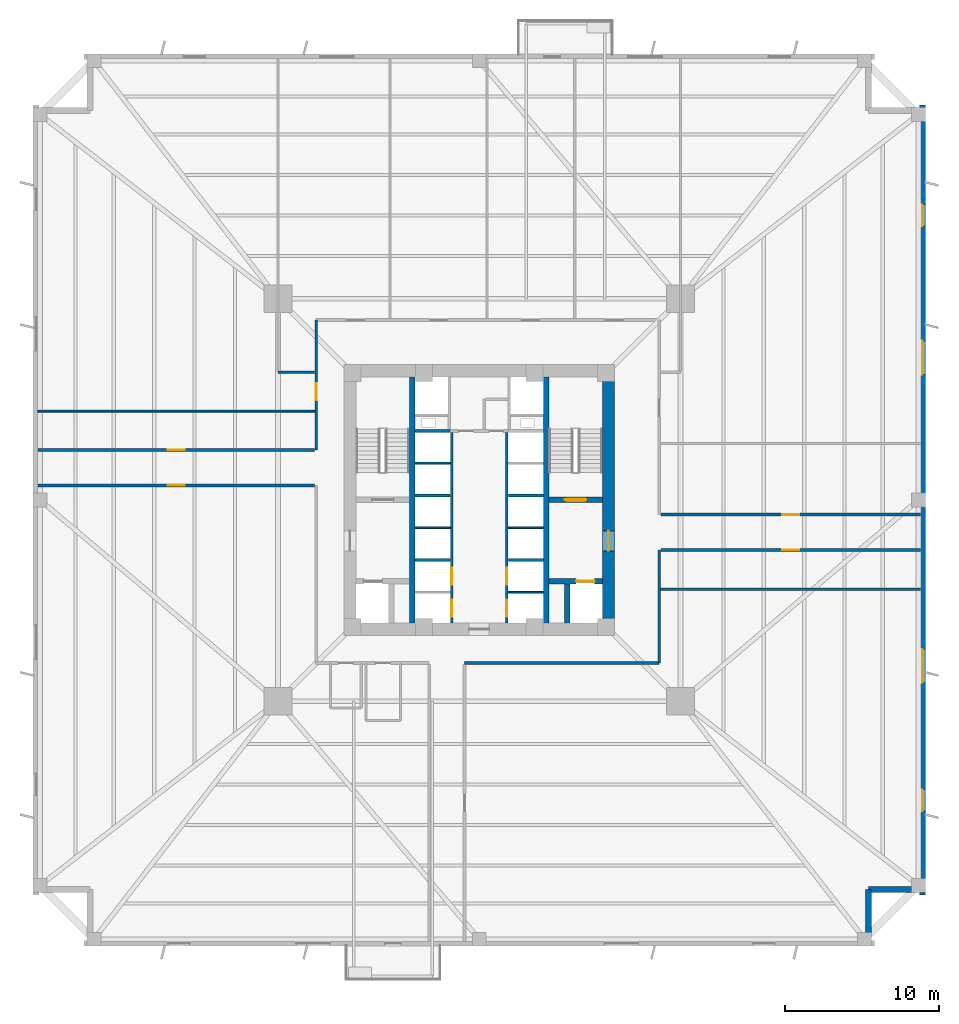
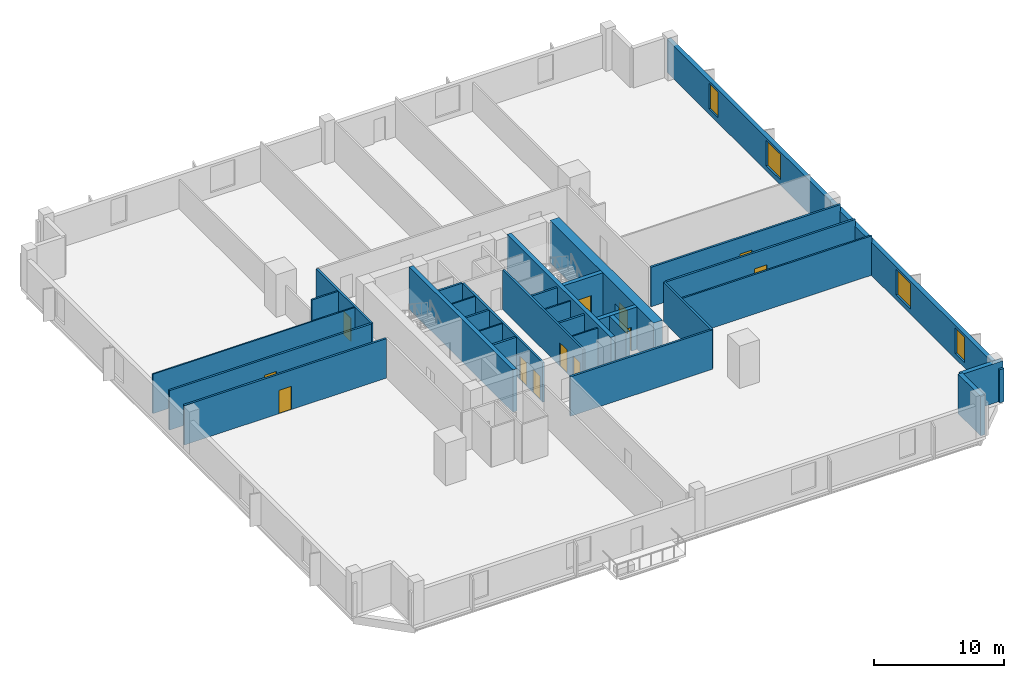
# One storey, part 3 of 8: 30 walls, 12 doors, 4 windows, 16 openings.
"""IFC4 building model written with IfcOpenShell, lengths in metres."""

from ifc_helpers import new_model, si_unit, direction, frame, frame_2d, origin, place, context, subcontext, project, spatial, rectangle, extrude, source, transform, mapped, material, layer, layer_set, type_object, element, fill, save


model = new_model("IFC4")

# Units and contexts
model_context = context("Model", 3, precision=1e-05, world=origin(), true_north=direction((0.0, 1.0)))
body_context = subcontext(model_context, "Body", "Model", "MODEL_VIEW")
ifc_project = project(units=[si_unit("LENGTHUNIT", "METRE"), si_unit("AREAUNIT", "SQUARE_METRE"), si_unit("VOLUMEUNIT", "CUBIC_METRE"), si_unit("PLANEANGLEUNIT", "RADIAN"), si_unit("MASSUNIT", "GRAM", prefix="KILO"), si_unit("THERMODYNAMICTEMPERATUREUNIT", "KELVIN")], contexts=[model_context])

# Site, building, storey
site_placement = place(None, origin())
site = spatial("IfcSite", under=ifc_project, at=site_placement, CompositionType="ELEMENT")
building_placement = place(site_placement, origin())
building = spatial("IfcBuilding", under=site, at=building_placement, Name="Kosmvard Interchange Tower", CompositionType="ELEMENT")
storey_placement = place(building_placement, frame((0.0, 0.0, 42.0)))
storey = spatial("IfcBuildingStorey", under=building, at=storey_placement, Name="L09", CompositionType="ELEMENT", Elevation=42.0)

# Walls
ifc_material_1 = material(Name="Acoustic gypsum partition system")
ifc_layer_1 = layer(ifc_material_1, 0.14990234375, Name="Acoustic gypsum partition system")
ifc_layer_set_1 = layer_set([ifc_layer_1], Name="Acoustic gypsum partition system")
wall_type_1 = type_object("IfcWallType", Name="Acoustic Suite & Meeting Partition 150", PredefinedType="PARTITIONING", material=ifc_layer_set_1)
wall_1_placement = place(storey_placement, frame((-10.695068359375, 8.300048828125, 0.0), z_axis=(0.0, 0.0, 1.0), x_axis=(-1.0, 0.0, 0.0)))
element("IfcWall", 1, at=wall_1_placement, inside=storey, type_object=wall_type_1, Name="L09 Room Partition 01.1", PredefinedType="PARTITIONING", context=body_context, shape_type="SweptSolid", body=[
    extrude(rectangle(XDim=2.385986328125, YDim=0.14990234375, at=frame_2d((1.19287109375, 0.0))), origin(), (0.0, 0.0, 1.0), 3.719970703125),
])
wall_2_placement = place(storey_placement, frame((11.794921875, -5.800048828125, 0.0), z_axis=(0.0, 0.0, 1.0), x_axis=(1.0, 0.0, 0.0)))
element("IfcWall", 2, at=wall_2_placement, inside=storey, type_object=wall_type_1, Name="L09 Room Partition 10.1", PredefinedType="PARTITIONING", context=body_context, shape_type="SweptSolid", body=[
    extrude(rectangle(XDim=16.89013671875, YDim=0.14990234375, at=frame_2d((8.445068359375, 0.0))), origin(), (0.0, 0.0, 1.0), 3.719970703125),
])

# Wall, openings, doors
ifc_material_2 = material(Name="Fire-rated gypsum partition system")
ifc_layer_2 = layer(ifc_material_2, 0.179931640625, Name="Fire-rated gypsum partition system")
ifc_layer_set_2 = layer_set([ifc_layer_2], Name="Fire-rated gypsum partition system")
wall_type_2 = type_object("IfcWallType", Name="Corridor & Hotel Compartment Partition 180", PredefinedType="PARTITIONING", material=ifc_layer_set_2)
wall_3_placement = place(storey_placement, frame((-1.7900390625, -7.97998046875, 0.0), z_axis=(0.0, 0.0, 1.0), x_axis=(0.0, 1.0, 0.0)))
wall_3 = element("IfcWall", 3, at=wall_3_placement, inside=storey, type_object=wall_type_2, Name="L09 West Lift Bank Front Wall", PredefinedType="PARTITIONING", context=body_context, shape_type="SweptSolid", body=[
    extrude(rectangle(XDim=12.3798828125, YDim=0.179931640625, at=frame_2d((6.18994140625, 0.0))), origin(), (0.0, 0.0, 1.0), 3.719970703125),
])
opening_1_placement = place(wall_3_placement, frame((0.39990234375, 0.0, 0.0)))
opening_1 = element("IfcOpeningElement", 4, at=opening_1_placement, cuts=wall_3, Name="Opening LD-PL-L1-L09", PredefinedType="OPENING", context=body_context, shape_type="SweptSolid", body=[
    extrude(rectangle(XDim=1.10009765625, YDim=2.199951171875, at=frame_2d((0.550048828125, 1.10009765625))), frame((0.0, 0.10009765625, 0.0), z_axis=(0.0, -1.0, 0.0), x_axis=(1.0, 0.0, 0.0)), (0.0, 0.0, 1.0), 0.199951171875),
])
opening_2_placement = place(wall_3_placement, frame((2.4599609375, 0.0, 0.0)))
opening_2 = element("IfcOpeningElement", 5, at=opening_2_placement, cuts=wall_3, Name="Opening LD-PL-L2-L09", PredefinedType="OPENING", context=body_context, shape_type="SweptSolid", body=[
    extrude(rectangle(XDim=1.10009765625, YDim=2.199951171875, at=frame_2d((0.550048828125, 1.10009765625))), frame((0.0, 0.10009765625, 0.0), z_axis=(0.0, -1.0, 0.0), x_axis=(1.0, 0.0, 0.0)), (0.0, 0.0, 1.0), 0.199951171875),
])
ifc_material_3 = material(Name="Brushed stainless steel sliding leaf", Category="steel")
door_type_1 = type_object("IfcDoorType", Name="Passenger Lift Sliding Landing Door 1100x2200 EI60", OperationType="DOUBLE_DOOR_SLIDING", PredefinedType="DOOR", material=ifc_material_3)
shared_shape_1 = source(origin(), body_context, "Body", "SweptSolid", [
    extrude(rectangle(XDim=1.10009765625, YDim=2.199951171875, at=frame_2d((0.550048828125, 1.10009765625))), frame((0.0, 0.02490234375, 0.0), z_axis=(0.0, -1.0, 0.0), x_axis=(1.0, 0.0, 0.0)), (0.0, 0.0, 1.0), 0.050048828125),
])
door_1_placement = place(opening_1_placement, frame((1.10009765625, 0.0, 0.0), z_axis=(0.0, 0.0, 1.0), x_axis=(-1.0, 0.0, 0.0)))
door_1 = element("IfcDoor", 6, at=door_1_placement, inside=storey, type_object=door_type_1, Name="Lift PL-L1 Landing Door L09", OperationType="DOUBLE_DOOR_SLIDING", OverallHeight=2.199951171875, OverallWidth=1.10009765625, PredefinedType="DOOR", context=body_context, shape_type="MappedRepresentation", body=[
    mapped(shared_shape_1, transform((0.0, 0.0, 0.0), scale=1.0)),
])
fill(opening_1, door_1)
door_2_placement = place(opening_2_placement, frame((1.10009765625, 0.0, 0.0), z_axis=(0.0, 0.0, 1.0), x_axis=(-1.0, 0.0, 0.0)))
door_2 = element("IfcDoor", 7, at=door_2_placement, inside=storey, type_object=door_type_1, Name="Lift PL-L2 Landing Door L09", OperationType="DOUBLE_DOOR_SLIDING", OverallHeight=2.199951171875, OverallWidth=1.10009765625, PredefinedType="DOOR", context=body_context, shape_type="MappedRepresentation", body=[
    mapped(shared_shape_1, transform((0.0, 0.0, 0.0), scale=1.0)),
])
fill(opening_2, door_2)

wall_4_placement = place(storey_placement, frame((1.7900390625, -7.97998046875, 0.0), z_axis=(0.0, 0.0, 1.0), x_axis=(0.0, 1.0, 0.0)))
wall_4 = element("IfcWall", 8, at=wall_4_placement, inside=storey, type_object=wall_type_2, Name="L09 East Lift Bank Front Wall", PredefinedType="PARTITIONING", context=body_context, shape_type="SweptSolid", body=[
    extrude(rectangle(XDim=12.3798828125, YDim=0.179931640625, at=frame_2d((6.18994140625, 0.0))), origin(), (0.0, 0.0, 1.0), 3.719970703125),
])
opening_3_placement = place(wall_4_placement, frame((0.39990234375, 0.0, 0.0)))
opening_3 = element("IfcOpeningElement", 9, at=opening_3_placement, cuts=wall_4, Name="Opening LD-PL-L3-L09", PredefinedType="OPENING", context=body_context, shape_type="SweptSolid", body=[
    extrude(rectangle(XDim=1.10009765625, YDim=2.199951171875, at=frame_2d((0.550048828125, 1.10009765625))), frame((0.0, 0.10009765625, 0.0), z_axis=(0.0, -1.0, 0.0), x_axis=(1.0, 0.0, 0.0)), (0.0, 0.0, 1.0), 0.199951171875),
])
opening_4_placement = place(wall_4_placement, frame((2.4599609375, 0.0, 0.0)))
opening_4 = element("IfcOpeningElement", 10, at=opening_4_placement, cuts=wall_4, Name="Opening LD-PL-L4-L09", PredefinedType="OPENING", context=body_context, shape_type="SweptSolid", body=[
    extrude(rectangle(XDim=1.10009765625, YDim=2.199951171875, at=frame_2d((0.550048828125, 1.10009765625))), frame((0.0, 0.10009765625, 0.0), z_axis=(0.0, -1.0, 0.0), x_axis=(1.0, 0.0, 0.0)), (0.0, 0.0, 1.0), 0.199951171875),
])
door_3_placement = place(opening_3_placement, origin())
door_3 = element("IfcDoor", 11, at=door_3_placement, inside=storey, type_object=door_type_1, Name="Lift PL-L3 Landing Door L09", OperationType="DOUBLE_DOOR_SLIDING", OverallHeight=2.199951171875, OverallWidth=1.10009765625, PredefinedType="DOOR", context=body_context, shape_type="MappedRepresentation", body=[
    mapped(shared_shape_1, transform((0.0, 0.0, 0.0), scale=1.0)),
])
fill(opening_3, door_3)
door_4_placement = place(opening_4_placement, origin())
door_4 = element("IfcDoor", 12, at=door_4_placement, inside=storey, type_object=door_type_1, Name="Lift PL-L4 Landing Door L09", OperationType="DOUBLE_DOOR_SLIDING", OverallHeight=2.199951171875, OverallWidth=1.10009765625, PredefinedType="DOOR", context=body_context, shape_type="MappedRepresentation", body=[
    mapped(shared_shape_1, transform((0.0, 0.0, 0.0), scale=1.0)),
])
fill(opening_4, door_4)

# Wall
wall_5_placement = place(storey_placement, frame((-0.949951171875, -10.60009765625, 0.0), z_axis=(0.0, 0.0, 1.0), x_axis=(1.0, 0.0, 0.0)))
element("IfcWall", 13, at=wall_5_placement, inside=storey, type_object=wall_type_2, Name="L09 Corridor Wall CSE", PredefinedType="PARTITIONING", context=body_context, shape_type="SweptSolid", body=[
    extrude(rectangle(XDim=12.64990234375, YDim=0.179931640625, at=frame_2d((6.324951171875, 0.0))), origin(), (0.0, 0.0, 1.0), 3.719970703125),
])

# Wall, opening, door
wall_6_placement = place(storey_placement, frame((-10.60009765625, 3.25, 0.0), z_axis=(0.0, 0.0, 1.0), x_axis=(0.0, 1.0, 0.0)))
wall_6 = element("IfcWall", 14, at=wall_6_placement, inside=storey, type_object=wall_type_2, Name="L09 Corridor Wall CWN", PredefinedType="PARTITIONING", context=body_context, shape_type="SweptSolid", body=[
    extrude(rectangle(XDim=8.449951171875, YDim=0.179931640625, at=frame_2d((4.22509765625, 0.0))), origin(), (0.0, 0.0, 1.0), 3.719970703125),
])
opening_5_placement = place(wall_6_placement, frame((3.237548828125, 0.0, 0.0)))
opening_5 = element("IfcOpeningElement", 15, at=opening_5_placement, cuts=wall_6, Name="Opening L09-D04", PredefinedType="OPENING", context=body_context, shape_type="SweptSolid", body=[
    extrude(rectangle(XDim=1.10009765625, YDim=2.199951171875, at=frame_2d((0.550048828125, 1.10009765625))), frame((0.0, 0.10009765625, 0.0), z_axis=(0.0, -1.0, 0.0), x_axis=(1.0, 0.0, 0.0)), (0.0, 0.0, 1.0), 0.199951171875),
])
ifc_material_4 = material(Name="Engineered oak fire-rated timber", Category="wood")
door_type_2 = type_object("IfcDoorType", Name="Office Suite Entrance Door 1100x2200 FD30S", OperationType="NOTDEFINED", PredefinedType="DOOR", material=ifc_material_4)
door_5_placement = place(opening_5_placement, origin())
door_5 = element("IfcDoor", 16, at=door_5_placement, inside=storey, type_object=door_type_2, Name="L09 West Advisory Office 2 Door", OperationType="SINGLE_SWING_RIGHT", OverallHeight=2.199951171875, OverallWidth=1.10009765625, PredefinedType="DOOR", context=body_context, shape_type="MappedRepresentation", body=[
    mapped(shared_shape_1, transform((0.0, 0.0, 0.0), scale=1.0)),
])
fill(opening_5, door_5)

# Wall
wall_7_placement = place(storey_placement, frame((11.699951171875, -10.60009765625, 0.0), z_axis=(0.0, 0.0, 1.0), x_axis=(0.0, 1.0, 0.0)))
element("IfcWall", 17, at=wall_7_placement, inside=storey, type_object=wall_type_2, Name="L09 Corridor Wall CES", PredefinedType="PARTITIONING", context=body_context, shape_type="SweptSolid", body=[
    extrude(rectangle(XDim=7.35009765625, YDim=0.179931640625, at=frame_2d((3.675048828125, 0.0))), origin(), (0.0, 0.0, 1.0), 3.719970703125),
])

# Wall, opening, door
wall_8_placement = place(storey_placement, frame((-28.68505859375, 0.949951171875, 0.0), z_axis=(0.0, 0.0, 1.0), x_axis=(1.0, 0.0, 0.0)))
wall_8 = element("IfcWall", 18, at=wall_8_placement, inside=storey, type_object=wall_type_2, Name="L09 Corridor Wall SWS", PredefinedType="PARTITIONING", context=body_context, shape_type="SweptSolid", body=[
    extrude(rectangle(XDim=17.985107421875, YDim=0.179931640625, at=frame_2d((8.99267578125, 0.0))), origin(), (0.0, 0.0, 1.0), 3.719970703125),
])
opening_6_placement = place(wall_8_placement, frame((8.4423828125, 0.0, 0.0)))
opening_6 = element("IfcOpeningElement", 19, at=opening_6_placement, cuts=wall_8, Name="Opening L09-D13", PredefinedType="OPENING", context=body_context, shape_type="SweptSolid", body=[
    extrude(rectangle(XDim=1.10009765625, YDim=2.199951171875, at=frame_2d((0.550048828125, 1.10009765625))), frame((0.0, 0.10009765625, 0.0), z_axis=(0.0, -1.0, 0.0), x_axis=(1.0, 0.0, 0.0)), (0.0, 0.0, 1.0), 0.199951171875),
])
door_6_placement = place(opening_6_placement, frame((1.10009765625, 0.0, 0.0), z_axis=(0.0, 0.0, 1.0), x_axis=(-1.0, 0.0, 0.0)))
door_6 = element("IfcDoor", 20, at=door_6_placement, inside=storey, type_object=door_type_2, Name="L09 South-West Open Workplace Door", OperationType="SINGLE_SWING_LEFT", OverallHeight=2.199951171875, OverallWidth=1.10009765625, PredefinedType="DOOR", context=body_context, shape_type="MappedRepresentation", body=[
    mapped(shared_shape_1, transform((0.0, 0.0, 0.0), scale=1.0)),
])
fill(opening_6, door_6)

wall_9_placement = place(storey_placement, frame((-28.68505859375, 3.25, 0.0), z_axis=(0.0, 0.0, 1.0), x_axis=(1.0, 0.0, 0.0)))
wall_9 = element("IfcWall", 21, at=wall_9_placement, inside=storey, type_object=wall_type_2, Name="L09 Corridor Wall SWN", PredefinedType="PARTITIONING", context=body_context, shape_type="SweptSolid", body=[
    extrude(rectangle(XDim=17.985107421875, YDim=0.179931640625, at=frame_2d((8.99267578125, 0.0))), origin(), (0.0, 0.0, 1.0), 3.719970703125),
])
opening_7_placement = place(wall_9_placement, frame((8.4423828125, 0.0, 0.0)))
opening_7 = element("IfcOpeningElement", 22, at=opening_7_placement, cuts=wall_9, Name="Opening L09-D03", PredefinedType="OPENING", context=body_context, shape_type="SweptSolid", body=[
    extrude(rectangle(XDim=1.10009765625, YDim=2.199951171875, at=frame_2d((0.550048828125, 1.10009765625))), frame((0.0, 0.10009765625, 0.0), z_axis=(0.0, -1.0, 0.0), x_axis=(1.0, 0.0, 0.0)), (0.0, 0.0, 1.0), 0.199951171875),
])
door_7_placement = place(opening_7_placement, origin())
door_7 = element("IfcDoor", 23, at=door_7_placement, inside=storey, type_object=door_type_2, Name="L09 West Corner Office 1 Door", OperationType="SINGLE_SWING_LEFT", OverallHeight=2.199951171875, OverallWidth=1.10009765625, PredefinedType="DOOR", context=body_context, shape_type="MappedRepresentation", body=[
    mapped(shared_shape_1, transform((0.0, 0.0, 0.0), scale=1.0)),
])
fill(opening_7, door_7)

wall_10_placement = place(storey_placement, frame((11.800048828125, -3.25, 0.0), z_axis=(0.0, 0.0, 1.0), x_axis=(1.0, 0.0, 0.0)))
wall_10 = element("IfcWall", 24, at=wall_10_placement, inside=storey, type_object=wall_type_2, Name="L09 Corridor Wall SES", PredefinedType="PARTITIONING", context=body_context, shape_type="SweptSolid", body=[
    extrude(rectangle(XDim=16.885009765625, YDim=0.179931640625, at=frame_2d((8.4423828125, 0.0))), origin(), (0.0, 0.0, 1.0), 3.719970703125),
])
opening_8_placement = place(wall_10_placement, frame((7.892578125, 0.0, 0.0)))
opening_8 = element("IfcOpeningElement", 25, at=opening_8_placement, cuts=wall_10, Name="Opening L09-D11", PredefinedType="OPENING", context=body_context, shape_type="SweptSolid", body=[
    extrude(rectangle(XDim=1.10009765625, YDim=2.199951171875, at=frame_2d((0.550048828125, 1.10009765625))), frame((0.0, 0.10009765625, 0.0), z_axis=(0.0, -1.0, 0.0), x_axis=(1.0, 0.0, 0.0)), (0.0, 0.0, 1.0), 0.199951171875),
])
door_8_placement = place(opening_8_placement, frame((1.10009765625, 0.0, 0.0), z_axis=(0.0, 0.0, 1.0), x_axis=(-1.0, 0.0, 0.0)))
door_8 = element("IfcDoor", 26, at=door_8_placement, inside=storey, type_object=door_type_2, Name="L09 Staff Catering Pantry Door", OperationType="SINGLE_SWING_LEFT", OverallHeight=2.199951171875, OverallWidth=1.10009765625, PredefinedType="DOOR", context=body_context, shape_type="MappedRepresentation", body=[
    mapped(shared_shape_1, transform((0.0, 0.0, 0.0), scale=1.0)),
])
fill(opening_8, door_8)

wall_11_placement = place(storey_placement, frame((11.800048828125, -0.949951171875, 0.0), z_axis=(0.0, 0.0, 1.0), x_axis=(1.0, 0.0, 0.0)))
wall_11 = element("IfcWall", 27, at=wall_11_placement, inside=storey, type_object=wall_type_2, Name="L09 Corridor Wall SEN", PredefinedType="PARTITIONING", context=body_context, shape_type="SweptSolid", body=[
    extrude(rectangle(XDim=16.885009765625, YDim=0.179931640625, at=frame_2d((8.4423828125, 0.0))), origin(), (0.0, 0.0, 1.0), 3.719970703125),
])
opening_9_placement = place(wall_11_placement, frame((7.892578125, 0.0, 0.0)))
opening_9 = element("IfcOpeningElement", 28, at=opening_9_placement, cuts=wall_11, Name="Opening L09-D09", PredefinedType="OPENING", context=body_context, shape_type="SweptSolid", body=[
    extrude(rectangle(XDim=1.10009765625, YDim=2.199951171875, at=frame_2d((0.550048828125, 1.10009765625))), frame((0.0, 0.10009765625, 0.0), z_axis=(0.0, -1.0, 0.0), x_axis=(1.0, 0.0, 0.0)), (0.0, 0.0, 1.0), 0.199951171875),
])
door_9_placement = place(opening_9_placement, origin())
door_9 = element("IfcDoor", 29, at=door_9_placement, inside=storey, type_object=door_type_2, Name="L09 East Advisory Office 5 Door", OperationType="SINGLE_SWING_LEFT", OverallHeight=2.199951171875, OverallWidth=1.10009765625, PredefinedType="DOOR", context=body_context, shape_type="MappedRepresentation", body=[
    mapped(shared_shape_1, transform((0.0, 0.0, 0.0), scale=1.0)),
])
fill(opening_9, door_9)

ifc_material_5 = material(Name="Concrete C80/95", Category="concrete")
ifc_layer_3 = layer(ifc_material_5, 0.800048828125, Name="Concrete C80/95")
ifc_layer_set_3 = layer_set([ifc_layer_3], Name="Concrete C80/95")
wall_type_3 = type_object("IfcWallType", Name="Lower Core Shear Wall 800 C80/95", PredefinedType="SHEAR", material=ifc_layer_set_3)
wall_12_placement = place(storey_placement, frame((8.39990234375, -8.0, 0.0), z_axis=(0.0, 0.0, 1.0), x_axis=(0.0, 1.0, 0.0)))
wall_12 = element("IfcWall", 30, at=wall_12_placement, inside=storey, type_object=wall_type_3, Name="L09 Core Shear Wall CW-E", PredefinedType="SHEAR", context=body_context, shape_type="SweptSolid", body=[
    extrude(rectangle(XDim=16.0, YDim=0.800048828125, at=frame_2d((8.0, 0.0))), origin(), (0.0, 0.0, 1.0), 4.0),
])
opening_10_placement = place(wall_12_placement, frame((4.68994140625, 0.0, 0.0)))
opening_10 = element("IfcOpeningElement", 31, at=opening_10_placement, cuts=wall_12, Name="Opening L09-FD2", PredefinedType="OPENING", context=body_context, shape_type="SweptSolid", body=[
    extrude(rectangle(XDim=1.300048828125, YDim=2.199951171875, at=frame_2d((0.64990234375, 1.10009765625))), frame((0.0, 0.41015625, 0.0), z_axis=(0.0, -1.0, 0.0), x_axis=(1.0, 0.0, 0.0)), (0.0, 0.0, 1.0), 0.820068359375),
])
ifc_material_6 = material(Name="Painted fire-rated steel leaf", Category="steel")
door_type_3 = type_object("IfcDoorType", Name="Firefighting Lobby Door 1300x2200 EI60", OperationType="NOTDEFINED", PredefinedType="DOOR", material=ifc_material_6)
shared_shape_2 = source(origin(), body_context, "Body", "SweptSolid", [
    extrude(rectangle(XDim=1.300048828125, YDim=2.199951171875, at=frame_2d((0.64990234375, 1.10009765625))), frame((0.0, 0.02490234375, 0.0), z_axis=(0.0, -1.0, 0.0), x_axis=(1.0, 0.0, 0.0)), (0.0, 0.0, 1.0), 0.050048828125),
])
door_10_placement = place(opening_10_placement, origin())
door_10 = element("IfcDoor", 32, at=door_10_placement, inside=storey, type_object=door_type_3, Name="L09 Firefighting Lobby East Door", OperationType="SINGLE_SWING_RIGHT", OverallHeight=2.199951171875, OverallWidth=1.300048828125, PredefinedType="DOOR", context=body_context, shape_type="MappedRepresentation", body=[
    mapped(shared_shape_2, transform((0.0, 0.0, 0.0), scale=1.0)),
])
fill(opening_10, door_10)

# Walls
ifc_material_7 = material(Name="Precast concrete C45/55", Category="concrete")
ifc_layer_4 = layer(ifc_material_7, 0.3798828125, Name="Precast concrete C45/55")
ifc_layer_set_4 = layer_set([ifc_layer_4], Name="Precast concrete C45/55")
wall_type_4 = type_object("IfcWallType", Name="Lower Tower Precast Pier Wall 380 C45/55", PredefinedType="STANDARD", material=ifc_layer_set_4)
wall_13_placement = place(storey_placement, frame((25.31005859375, -28.81005859375, 0.0), z_axis=(0.0, 0.0, 1.0), x_axis=(0.0, 1.0, 0.0)))
element("IfcWall", 33, at=wall_13_placement, inside=storey, type_object=wall_type_4, Name="L09 Precast Facade Wall N-SE1", PredefinedType="STANDARD", context=body_context, shape_type="SweptSolid", body=[
    extrude(rectangle(XDim=3.5, YDim=0.3798828125, at=frame_2d((1.75, 0.0))), origin(), (0.0, 0.0, 1.0), 3.719970703125),
])
wall_14_placement = place(storey_placement, frame((25.31005859375, -25.31005859375, 0.0), z_axis=(0.0, 0.0, 1.0), x_axis=(1.0, 0.0, 0.0)))
element("IfcWall", 34, at=wall_14_placement, inside=storey, type_object=wall_type_4, Name="L09 Precast Facade Wall N-SE2", PredefinedType="STANDARD", context=body_context, shape_type="SweptSolid", body=[
    extrude(rectangle(XDim=3.68994140625, YDim=0.3798828125, at=frame_2d((1.844970703125, 0.0))), origin(), (0.0, 0.0, 1.0), 3.719970703125),
])

# Wall, openings, windows
wall_15_placement = place(storey_placement, frame((28.81005859375, -25.68994140625, 0.0), z_axis=(0.0, 0.0, 1.0), x_axis=(0.0, 1.0, 0.0)))
wall_15 = element("IfcWall", 35, at=wall_15_placement, inside=storey, type_object=wall_type_4, Name="L09 Precast Facade Wall F-E", PredefinedType="STANDARD", context=body_context, shape_type="SweptSolid", body=[
    extrude(rectangle(XDim=51.3798828125, YDim=0.3798828125, at=frame_2d((25.68994140625, 0.0))), origin(), (0.0, 0.0, 1.0), 3.1201171875),
])
opening_11_placement = place(wall_15_placement, frame((5.465576171875, 0.0, 0.489990234375)))
opening_11 = element("IfcOpeningElement", 36, at=opening_11_placement, cuts=wall_15, Name="Opening L09-W05", PredefinedType="OPENING", context=body_context, shape_type="SweptSolid", body=[
    extrude(rectangle(XDim=1.39990234375, YDim=2.39990234375, at=frame_2d((0.699951171875, 1.199951171875))), frame((0.0, 0.199951171875, 0.0), z_axis=(0.0, -1.0, 0.0), x_axis=(1.0, 0.0, 0.0)), (0.0, 0.0, 1.0), 0.39990234375),
])
opening_12_placement = place(wall_15_placement, frame((13.80029296875, 0.0, 0.489990234375)))
opening_12 = element("IfcOpeningElement", 37, at=opening_12_placement, cuts=wall_15, Name="Opening L09-W06", PredefinedType="OPENING", context=body_context, shape_type="SweptSolid", body=[
    extrude(rectangle(XDim=2.199951171875, YDim=2.39990234375, at=frame_2d((1.10009765625, 1.199951171875))), frame((0.0, 0.199951171875, 0.0), z_axis=(0.0, -1.0, 0.0), x_axis=(1.0, 0.0, 0.0)), (0.0, 0.0, 1.0), 0.39990234375),
])
opening_13_placement = place(wall_15_placement, frame((33.83837890625, 0.0, 0.489990234375)))
opening_13 = element("IfcOpeningElement", 38, at=opening_13_placement, cuts=wall_15, Name="Opening L09-W07", PredefinedType="OPENING", context=body_context, shape_type="SweptSolid", body=[
    extrude(rectangle(XDim=2.199951171875, YDim=2.39990234375, at=frame_2d((1.10009765625, 1.199951171875))), frame((0.0, 0.199951171875, 0.0), z_axis=(0.0, -1.0, 0.0), x_axis=(1.0, 0.0, 0.0)), (0.0, 0.0, 1.0), 0.39990234375),
])
opening_14_placement = place(wall_15_placement, frame((43.48681640625, 0.0, 0.489990234375)))
opening_14 = element("IfcOpeningElement", 39, at=opening_14_placement, cuts=wall_15, Name="Opening L09-W08", PredefinedType="OPENING", context=body_context, shape_type="SweptSolid", body=[
    extrude(rectangle(XDim=1.39990234375, YDim=2.39990234375, at=frame_2d((0.699951171875, 1.199951171875))), frame((0.0, 0.199951171875, 0.0), z_axis=(0.0, -1.0, 0.0), x_axis=(1.0, 0.0, 0.0)), (0.0, 0.0, 1.0), 0.39990234375),
])
ifc_material_8 = material(Name="Low-E solar-control double glazing", Category="glass")
window_type_1 = type_object("IfcWindowType", Name="Notched Corner Feature Window 1400x2400", PartitioningType="SINGLE_PANEL", PredefinedType="WINDOW", material=ifc_material_8)
shared_shape_3 = source(origin(), body_context, "Body", "SweptSolid", [
    extrude(rectangle(XDim=1.39990234375, YDim=2.39990234375, at=frame_2d((0.699951171875, 1.199951171875))), frame((0.0, 0.030029296875, 0.0), z_axis=(0.0, -1.0, 0.0), x_axis=(1.0, 0.0, 0.0)), (0.0, 0.0, 1.0), 0.06005859375),
])
window_1_placement = place(opening_11_placement, origin())
window_1 = element("IfcWindow", 40, at=window_1_placement, inside=storey, type_object=window_type_1, Name="L09 Facade Punched Window 05", OverallHeight=2.39990234375, OverallWidth=1.39990234375, PartitioningType="SINGLE_PANEL", PredefinedType="WINDOW", context=body_context, shape_type="MappedRepresentation", body=[
    mapped(shared_shape_3, transform((0.0, 0.0, 0.0), scale=1.0)),
])
fill(opening_11, window_1)
window_2_placement = place(opening_14_placement, origin())
window_2 = element("IfcWindow", 41, at=window_2_placement, inside=storey, type_object=window_type_1, Name="L09 Facade Punched Window 08", OverallHeight=2.39990234375, OverallWidth=1.39990234375, PartitioningType="SINGLE_PANEL", PredefinedType="WINDOW", context=body_context, shape_type="MappedRepresentation", body=[
    mapped(shared_shape_3, transform((0.0, 0.0, 0.0), scale=1.0)),
])
fill(opening_14, window_2)
window_type_2 = type_object("IfcWindowType", Name="Zone 1 Office Punched Window 2200x2400", PartitioningType="SINGLE_PANEL", PredefinedType="WINDOW", material=ifc_material_8)
shared_shape_4 = source(origin(), body_context, "Body", "SweptSolid", [
    extrude(rectangle(XDim=2.199951171875, YDim=2.39990234375, at=frame_2d((1.10009765625, 1.199951171875))), frame((0.0, 0.030029296875, 0.0), z_axis=(0.0, -1.0, 0.0), x_axis=(1.0, 0.0, 0.0)), (0.0, 0.0, 1.0), 0.06005859375),
])
window_3_placement = place(opening_12_placement, origin())
window_3 = element("IfcWindow", 42, at=window_3_placement, inside=storey, type_object=window_type_2, Name="L09 Facade Punched Window 06", OverallHeight=2.39990234375, OverallWidth=2.199951171875, PartitioningType="SINGLE_PANEL", PredefinedType="WINDOW", context=body_context, shape_type="MappedRepresentation", body=[
    mapped(shared_shape_4, transform((0.0, 0.0, 0.0), scale=1.0)),
])
fill(opening_12, window_3)
window_4_placement = place(opening_13_placement, origin())
window_4 = element("IfcWindow", 43, at=window_4_placement, inside=storey, type_object=window_type_2, Name="L09 Facade Punched Window 07", OverallHeight=2.39990234375, OverallWidth=2.199951171875, PartitioningType="SINGLE_PANEL", PredefinedType="WINDOW", context=body_context, shape_type="MappedRepresentation", body=[
    mapped(shared_shape_4, transform((0.0, 0.0, 0.0), scale=1.0)),
])
fill(opening_13, window_4)

# Walls
ifc_material_9 = material(Name="Gypsum board partition system")
ifc_layer_5 = layer(ifc_material_9, 0.1201171875, Name="Gypsum board partition system")
ifc_layer_set_5 = layer_set([ifc_layer_5], Name="Gypsum board partition system")
wall_type_5 = type_object("IfcWallType", Name="Office Cellular Partition 120", PredefinedType="PARTITIONING", material=ifc_layer_set_5)
wall_16_placement = place(storey_placement, frame((-28.68505859375, 5.77490234375, 0.0), z_axis=(0.0, 0.0, 1.0), x_axis=(1.0, 0.0, 0.0)))
element("IfcWall", 44, at=wall_16_placement, inside=storey, type_object=wall_type_5, Name="L09 Room Partition 08.1", PredefinedType="PARTITIONING", context=body_context, shape_type="SweptSolid", body=[
    extrude(rectangle(XDim=17.989990234375, YDim=0.1201171875, at=frame_2d((8.9951171875, 0.0))), origin(), (0.0, 0.0, 1.0), 3.719970703125),
])
ifc_material_10 = material(Name="Concrete blockwork masonry", Category="masonry")
ifc_layer_6 = layer(ifc_material_10, 0.179931640625, Name="Concrete blockwork masonry")
ifc_layer_set_6 = layer_set([ifc_layer_6], Name="Concrete blockwork masonry")
wall_type_6 = type_object("IfcWallType", Name="Riser & Lift Bank Divider Wall 180", PredefinedType="PARTITIONING", material=ifc_layer_set_6)
for number, where, z_axis, x_axis, name in (
    (45, (-4.169921875, -3.89990234375, 0.0), (0.0, 0.0, 1.0), (1.0, 0.0, 0.0), "L09 West Bank Divider BD1"),
    (46, (1.889892578125, -3.89990234375, 0.0), (0.0, 0.0, 1.0), (1.0, 0.0, 0.0), "L09 East Bank Divider BD1"),
    (47, (-4.169921875, 0.300048828125, 0.0), (0.0, 0.0, 1.0), (1.0, 0.0, 0.0), "L09 West Bank Divider BD2"),
    (48, (1.889892578125, 0.300048828125, 0.0), (0.0, 0.0, 1.0), (1.0, 0.0, 0.0), "L09 East Bank Divider BD2"),
    (49, (-4.169921875, 4.489990234375, 0.0), (0.0, 0.0, 1.0), (1.0, 0.0, 0.0), "L09 West Bank Divider BD3"),
):
    element("IfcWall", number, at=place(storey_placement, frame(where, z_axis=z_axis, x_axis=x_axis)), inside=storey, type_object=wall_type_6, Name=name, PredefinedType="PARTITIONING", context=body_context, shape_type="SweptSolid", body=[
        extrude(rectangle(XDim=2.280029296875, YDim=0.179931640625, at=frame_2d((1.14013671875, 0.0))), origin(), (0.0, 0.0, 1.0), 3.719970703125),
    ])
ifc_material_11 = material(Name="Fire-rated gypsum shaftwall system")
ifc_layer_7 = layer(ifc_material_11, 0.1201171875, Name="Fire-rated gypsum shaftwall system")
ifc_layer_set_7 = layer_set([ifc_layer_7], Name="Fire-rated gypsum shaftwall system")
wall_type_7 = type_object("IfcWallType", Name="Shaft & Riser Fire Partition 120 EI60", PredefinedType="PARTITIONING", material=ifc_layer_set_7)
for number, where, z_axis, x_axis, name in (
    (50, (1.89990234375, -6.0, 0.0), (0.0, 0.0, 1.0), (1.0, 0.0, 0.0), "L09 Shaft Divider PL-L3"),
    (51, (-4.159912109375, -1.800048828125, 0.0), (0.0, 0.0, 1.0), (1.0, 0.0, 0.0), "L09 Shaft Divider PL-M1"),
    (52, (1.89990234375, -1.800048828125, 0.0), (0.0, 0.0, 1.0), (1.0, 0.0, 0.0), "L09 Shaft Divider PL-M3"),
    (53, (-4.159912109375, 2.39990234375, 0.0), (0.0, 0.0, 1.0), (1.0, 0.0, 0.0), "L09 Shaft Divider PL-H1"),
):
    element("IfcWall", number, at=place(storey_placement, frame(where, z_axis=z_axis, x_axis=x_axis)), inside=storey, type_object=wall_type_7, Name=name, PredefinedType="PARTITIONING", context=body_context, shape_type="SweptSolid", body=[
        extrude(rectangle(XDim=2.260009765625, YDim=0.1201171875, at=frame_2d((1.1298828125, 0.0))), origin(), (0.0, 0.0, 1.0), 3.719970703125),
    ])
ifc_material_12 = material(Name="Concrete C60/75", Category="concrete")
ifc_layer_8 = layer(ifc_material_12, 0.360107421875, Name="Concrete C60/75")
ifc_layer_set_8 = layer_set([ifc_layer_8], Name="Concrete C60/75")
wall_type_8 = type_object("IfcWallType", Name="Stair & Lift Shaft Shear Wall 360 C60/75", PredefinedType="SHEAR", material=ifc_layer_set_8)
for number, where, z_axis, x_axis, name in (
    (54, (-4.360107421875, -8.0, 0.0), (0.0, 0.0, 1.0), (0.0, 1.0, 0.0), "L09 Shaft Shear Wall SW-W"),
    (55, (4.360107421875, -8.0, 0.0), (0.0, 0.0, 1.0), (0.0, 1.0, 0.0), "L09 Shaft Shear Wall SW-E"),
):
    element("IfcWall", number, at=place(storey_placement, frame(where, z_axis=z_axis, x_axis=x_axis)), inside=storey, type_object=wall_type_8, Name=name, PredefinedType="SHEAR", context=body_context, shape_type="SweptSolid", body=[
        extrude(rectangle(XDim=16.0, YDim=0.360107421875, at=frame_2d((8.0, 0.0))), origin(), (0.0, 0.0, 1.0), 4.0),
    ])

# Wall, opening, door
wall_17_placement = place(storey_placement, frame((4.5400390625, 0.02001953125, 0.0), z_axis=(0.0, 0.0, 1.0), x_axis=(1.0, 0.0, 0.0)))
wall_17 = element("IfcWall", 56, at=wall_17_placement, inside=storey, type_object=wall_type_8, Name="L09 Shaft Shear Wall SW-ST2", PredefinedType="SHEAR", context=body_context, shape_type="SweptSolid", body=[
    extrude(rectangle(XDim=3.4599609375, YDim=0.360107421875, at=frame_2d((1.72998046875, 0.0))), origin(), (0.0, 0.0, 1.0), 4.0),
])
opening_15_placement = place(wall_17_placement, frame((1.030029296875, 0.0, 0.0)))
opening_15 = element("IfcOpeningElement", 57, at=opening_15_placement, cuts=wall_17, Name="Opening L09-SD2", PredefinedType="OPENING", context=body_context, shape_type="SweptSolid", body=[
    extrude(rectangle(XDim=1.39990234375, YDim=2.199951171875, at=frame_2d((0.699951171875, 1.10009765625))), frame((0.0, 0.18994140625, 0.0), z_axis=(0.0, -1.0, 0.0), x_axis=(1.0, 0.0, 0.0)), (0.0, 0.0, 1.0), 0.380126953125),
])
door_type_4 = type_object("IfcDoorType", Name="Protected Stair Door 1400x2200 FD60S", OperationType="NOTDEFINED", PredefinedType="DOOR", material=ifc_material_6)
shared_shape_5 = source(origin(), body_context, "Body", "SweptSolid", [
    extrude(rectangle(XDim=1.39990234375, YDim=2.199951171875, at=frame_2d((0.699951171875, 1.10009765625))), frame((0.0, 0.02490234375, 0.0), z_axis=(0.0, -1.0, 0.0), x_axis=(1.0, 0.0, 0.0)), (0.0, 0.0, 1.0), 0.050048828125),
])
door_11_placement = place(opening_15_placement, origin())
door_11 = element("IfcDoor", 58, at=door_11_placement, inside=storey, type_object=door_type_4, Name="L09 Stair ST-2 Enclosure Door", OperationType="SINGLE_SWING_RIGHT", OverallHeight=2.199951171875, OverallWidth=1.39990234375, PredefinedType="DOOR", context=body_context, shape_type="MappedRepresentation", body=[
    mapped(shared_shape_5, transform((0.0, 0.0, 0.0), scale=1.0)),
])
fill(opening_15, door_11)

wall_18_placement = place(storey_placement, frame((4.5400390625, -5.280029296875, 0.0), z_axis=(0.0, 0.0, 1.0), x_axis=(1.0, 0.0, 0.0)))
wall_18 = element("IfcWall", 59, at=wall_18_placement, inside=storey, type_object=wall_type_8, Name="L09 Shaft Shear Wall SW-FF2", PredefinedType="SHEAR", context=body_context, shape_type="SweptSolid", body=[
    extrude(rectangle(XDim=3.4599609375, YDim=0.360107421875, at=frame_2d((1.72998046875, 0.0))), origin(), (0.0, 0.0, 1.0), 4.0),
])
opening_16_placement = place(wall_18_placement, frame((1.760009765625, 0.0, 0.0)))
opening_16 = element("IfcOpeningElement", 60, at=opening_16_placement, cuts=wall_18, Name="Opening LD-FF-2-L09", PredefinedType="OPENING", context=body_context, shape_type="SweptSolid", body=[
    extrude(rectangle(XDim=1.199951171875, YDim=2.25, at=frame_2d((0.60009765625, 1.125))), frame((0.0, 0.18994140625, 0.0), z_axis=(0.0, -1.0, 0.0), x_axis=(1.0, 0.0, 0.0)), (0.0, 0.0, 1.0), 0.380126953125),
])
door_type_5 = type_object("IfcDoorType", Name="Firefighting Lift Sliding Landing Door 1200x2250 EI120", OperationType="DOUBLE_DOOR_SLIDING", PredefinedType="DOOR", material=ifc_material_3)
shared_shape_6 = source(origin(), body_context, "Body", "SweptSolid", [
    extrude(rectangle(XDim=1.199951171875, YDim=2.25, at=frame_2d((0.60009765625, 1.125))), frame((0.0, 0.02490234375, 0.0), z_axis=(0.0, -1.0, 0.0), x_axis=(1.0, 0.0, 0.0)), (0.0, 0.0, 1.0), 0.050048828125),
])
door_12_placement = place(opening_16_placement, origin())
door_12 = element("IfcDoor", 61, at=door_12_placement, inside=storey, type_object=door_type_5, Name="Lift FF-2 Landing Door L09", OperationType="DOUBLE_DOOR_SLIDING", OverallHeight=2.25, OverallWidth=1.199951171875, PredefinedType="DOOR", context=body_context, shape_type="MappedRepresentation", body=[
    mapped(shared_shape_6, transform((0.0, 0.0, 0.0), scale=1.0)),
])
fill(opening_16, door_12)

# Wall
wall_19_placement = place(storey_placement, frame((5.7099609375, -8.0, 0.0), z_axis=(0.0, 0.0, 1.0), x_axis=(0.0, 1.0, 0.0)))
element("IfcWall", 62, at=wall_19_placement, inside=storey, type_object=wall_type_8, Name="L09 Shaft Shear Wall SW-SM2", PredefinedType="SHEAR", context=body_context, shape_type="SweptSolid", body=[
    extrude(rectangle(XDim=2.5400390625, YDim=0.360107421875, at=frame_2d((1.27001953125, 0.0))), origin(), (0.0, 0.0, 1.0), 4.0),
])

save(model, "model.ifc")
